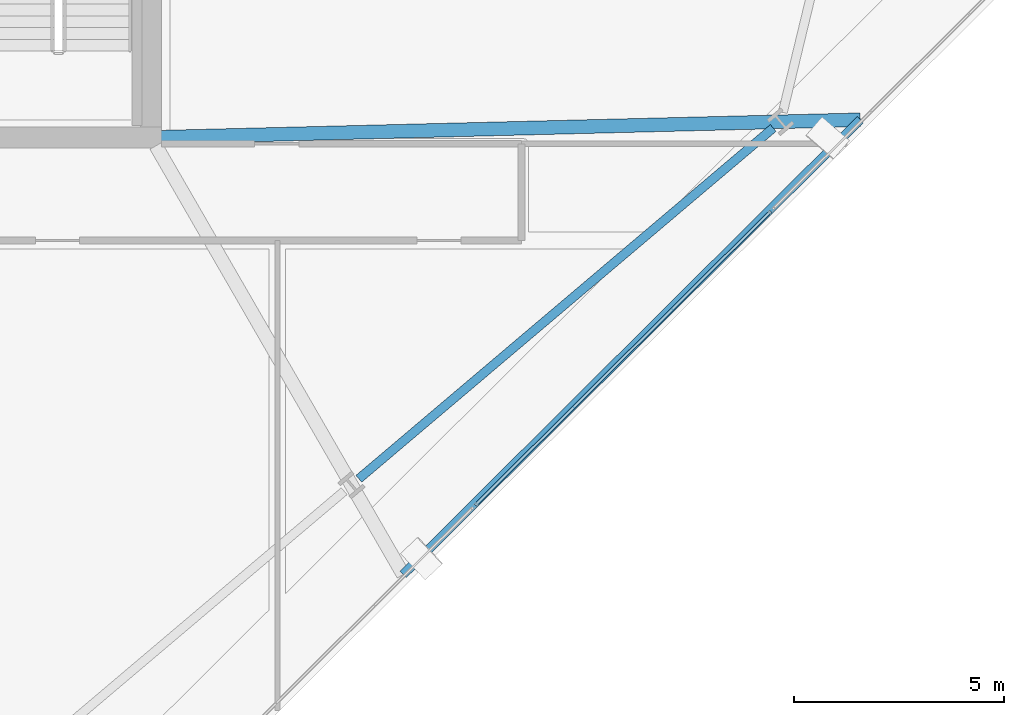
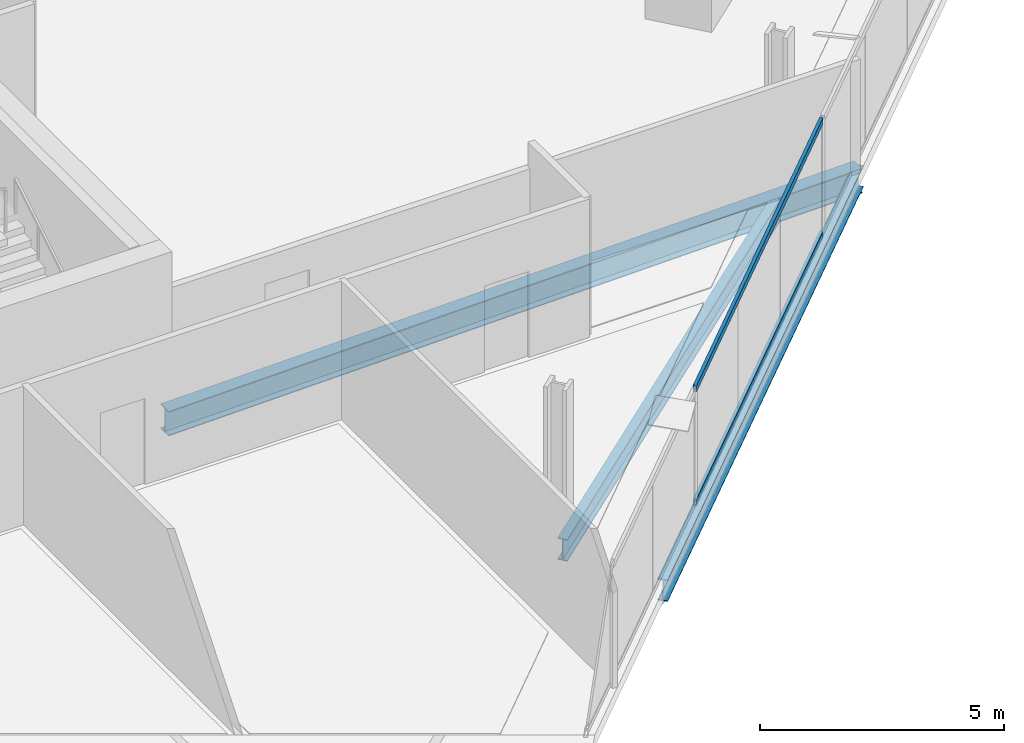
# One storey, part 9 of 32: 3 beams, 2 members, 1 element without a shape of its own.
"""IFC4 building model written with IfcOpenShell, lengths in metres."""

from ifc_helpers import new_model, si_unit, direction, frame, origin, origin_2d, place, context, subcontext, project, spatial, hollow_rectangle, i_section, extrude, material, material_profile, profile_set, type_object, element, aggregate, save


model = new_model("IFC4")

# Units and contexts
model_context = context("Model", 3, precision=1e-05, world=origin(), true_north=direction((0.0, 1.0)))
body_context = subcontext(model_context, "Body", "Model", "MODEL_VIEW")
ifc_project = project(units=[si_unit("LENGTHUNIT", "METRE"), si_unit("AREAUNIT", "SQUARE_METRE"), si_unit("VOLUMEUNIT", "CUBIC_METRE"), si_unit("PLANEANGLEUNIT", "RADIAN"), si_unit("MASSUNIT", "GRAM", prefix="KILO")], contexts=[model_context])

# Site, building, storey
site_placement = place(None, origin())
site = spatial("IfcSite", under=ifc_project, at=site_placement, CompositionType="ELEMENT")
building_placement = place(site_placement, origin())
building = spatial("IfcBuilding", under=site, at=building_placement, Name="Haldenkirk Collegiate Tower", CompositionType="ELEMENT")
storey_placement = place(building_placement, frame((0.0, 0.0, 178.199951171875)))
storey = spatial("IfcBuildingStorey", under=building, at=storey_placement, Name="L44", CompositionType="ELEMENT", Elevation=178.199951171875)

# Beams
ifc_material_1 = material(Name="Steel ASTM A992 Grade 50", Category="steel")
ifc_material_profile_1 = material_profile(ifc_material_1, i_section(OverallWidth=0.324951171875, OverallDepth=0.615966796875, WebThickness=0.013916015625, FlangeThickness=0.021484375, at=origin_2d()), Name="W24X117")
ifc_profile_set_1 = profile_set([ifc_material_profile_1], Name="Steel ASTM A992 Grade 50")
beam_type_1 = type_object("IfcBeamType", Name="BM-GIRDER-W24X117", PredefinedType="BEAM", material=ifc_profile_set_1)
beam_1_placement = place(storey_placement, frame((61.8505859375, 18.419921875, -0.597900390625), z_axis=(-0.999689459837, -0.024919548361, 0.0), x_axis=(0.024919548361, -0.999689459837, 0.0)))
element("IfcBeam", 1, at=beam_1_placement, inside=storey, type_object=beam_type_1, Name="L44 primary floor girder 07", PredefinedType="BEAM", context=body_context, shape_type="SweptSolid", body=[
    extrude(i_section(OverallWidth=0.324951171875, OverallDepth=0.615966796875, WebThickness=0.013916015625, FlangeThickness=0.021484375, at=origin_2d()), origin(), (0.0, 0.0, 1.0), 16.625732421875),
])
ifc_material_profile_2 = material_profile(ifc_material_1, i_section(OverallWidth=0.2119140625, OverallDepth=0.5439453125, WebThickness=0.01318359375, FlangeThickness=0.021240234375, at=origin_2d()), Name="W21X83")
ifc_profile_set_2 = profile_set([ifc_material_profile_2], Name="Steel ASTM A992 Grade 50")
beam_type_2 = type_object("IfcBeamType", Name="BM-SPANDREL-W21X83", PredefinedType="SPANDREL", material=ifc_profile_set_2)
beam_2_placement = place(storey_placement, frame((49.937255859375, 9.89111328125, -0.56201171875), z_axis=(0.763233335078, 0.646122957514, 0.0), x_axis=(-0.646122957514, 0.763233335078, 0.0)))
element("IfcBeam", 2, at=beam_2_placement, inside=storey, type_object=beam_type_2, Name="L44 perimeter spandrel beam 03", PredefinedType="SPANDREL", context=body_context, shape_type="SweptSolid", body=[
    extrude(i_section(OverallWidth=0.2119140625, OverallDepth=0.5439453125, WebThickness=0.01318359375, FlangeThickness=0.021240234375, at=origin_2d()), origin(), (0.0, 0.0, 1.0), 12.898193359375),
])
beam_3_placement = place(storey_placement, frame((50.989501953125, 7.61572265625, -0.56201171875), z_axis=(0.708960930004, 0.705247757691, 0.0), x_axis=(-0.705247757691, 0.708960930004, 0.0)))
element("IfcBeam", 3, at=beam_3_placement, inside=storey, type_object=beam_type_2, Name="L44 outer facade edge beam 1", PredefinedType="SPANDREL", context=body_context, shape_type="SweptSolid", body=[
    extrude(i_section(OverallWidth=0.2119140625, OverallDepth=0.5439453125, WebThickness=0.01318359375, FlangeThickness=0.021240234375, at=origin_2d()), origin(), (0.0, 0.0, 1.0), 15.31982421875),
])

# Curtain wall, members
ifc_material_2 = material(Name="Anodised architectural bronze aluminium", Category="aluminium")
curtain_wall_type = type_object("IfcCurtainWallType", Name="CW-SYS2-CONCAVE", PredefinedType="USERDEFINED", material=ifc_material_2)
curtain_wall_placement = place(storey_placement, origin())
curtain_wall = element("IfcCurtainWall", 4, at=curtain_wall_placement, inside=storey, type_object=curtain_wall_type, Name="L44 South concave recessed bronze-anodised curtain wall", ObjectType="UNITISED CURTAIN WALL", PredefinedType="USERDEFINED")
ifc_material_profile_3 = material_profile(ifc_material_2, hollow_rectangle(XDim=0.074951171875, YDim=0.159912109375, WallThickness=0.0048828125, at=origin_2d()), Name="CW-TRN-02")
ifc_profile_set_3 = profile_set([ifc_material_profile_3], Name="Anodised architectural bronze aluminium")
member_type = type_object("IfcMemberType", Name="CW-TRN-02", PredefinedType="USERDEFINED", material=ifc_profile_set_3)
member_1_placement = place(storey_placement, frame((59.720947265625, 16.2451171875, 0.03759765625), z_axis=(-0.708953935941, -0.705254788508, 0.0), x_axis=(0.705254788508, -0.708953935941, 0.0)))
member_1 = element("IfcMember", 5, at=member_1_placement, type_object=member_type, Name="CW-02 transom 2.1", ObjectType="TRANSOM", PredefinedType="USERDEFINED", context=body_context, shape_type="SweptSolid", body=[
    extrude(hollow_rectangle(XDim=0.074951171875, YDim=0.159912109375, WallThickness=0.0048828125, at=origin_2d()), origin(), (0.0, 0.0, 1.0), 9.89990234375),
])
member_2_placement = place(storey_placement, frame((59.720947265625, 16.2451171875, 2.87353515625), z_axis=(-0.708953935941, -0.705254788508, 0.0), x_axis=(0.705254788508, -0.708953935941, 0.0)))
member_2 = element("IfcMember", 6, at=member_2_placement, type_object=member_type, Name="CW-02 transom 2.2", ObjectType="TRANSOM", PredefinedType="USERDEFINED", context=body_context, shape_type="SweptSolid", body=[
    extrude(hollow_rectangle(XDim=0.074951171875, YDim=0.159912109375, WallThickness=0.0048828125, at=origin_2d()), origin(), (0.0, 0.0, 1.0), 9.89990234375),
])
aggregate(curtain_wall, [member_1, member_2])

save(model, "model.ifc")
